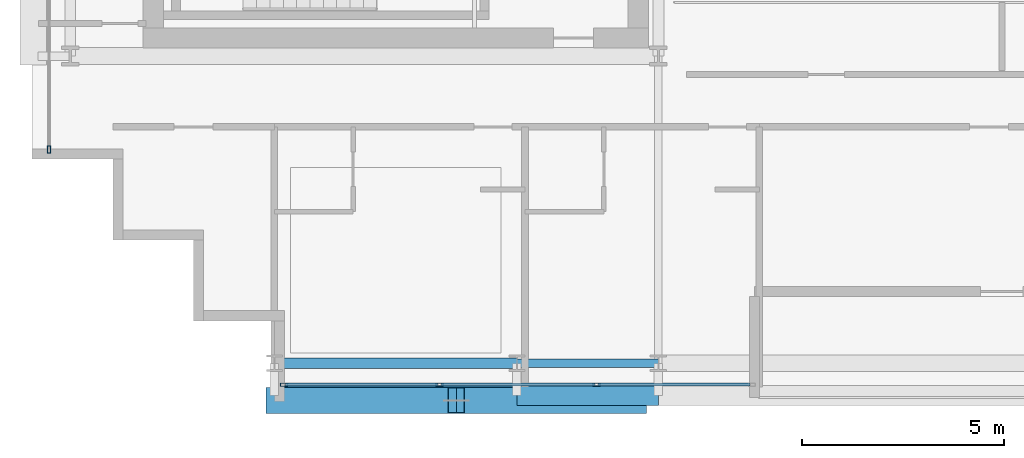
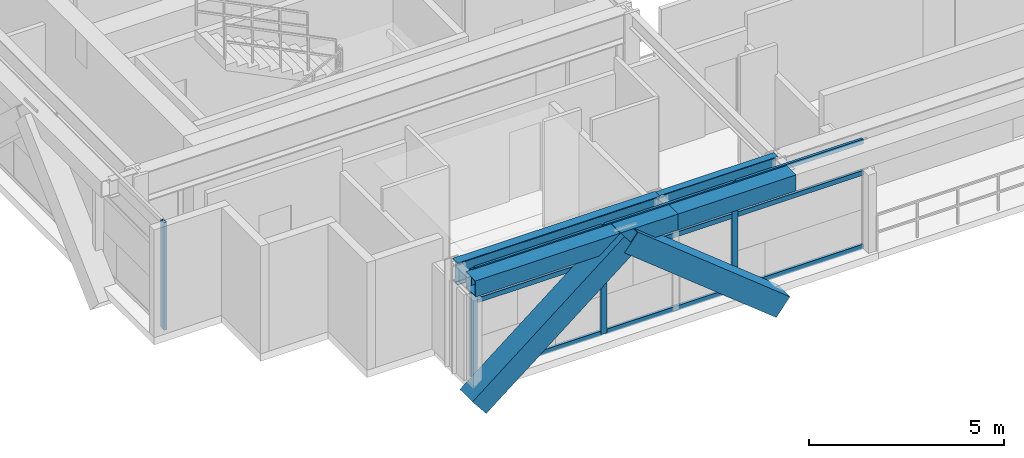
# One storey, part 2 of 31: 15 members, 4 beams, 2 elements without a shape of their own.
"""IFC4 building model written with IfcOpenShell, lengths in metres."""

from ifc_helpers import new_model, si_unit, direction, frame, origin, origin_2d, place, context, subcontext, project, spatial, hollow_rectangle, i_section, extrude, source, transform, mapped, material, layer, layer_set, material_profile, profile_set, type_object, element, aggregate, save


model = new_model("IFC4")

# Units and contexts
model_context = context("Model", 3, precision=1e-05, world=origin(), true_north=direction((0.0, 1.0)))
body_context = subcontext(model_context, "Body", "Model", "MODEL_VIEW")
ifc_project = project(units=[si_unit("LENGTHUNIT", "METRE"), si_unit("AREAUNIT", "SQUARE_METRE"), si_unit("VOLUMEUNIT", "CUBIC_METRE"), si_unit("PLANEANGLEUNIT", "RADIAN"), si_unit("MASSUNIT", "GRAM", prefix="KILO")], contexts=[model_context])

# Site, building, storey
site_placement = place(None, origin())
site = spatial("IfcSite", under=ifc_project, at=site_placement, CompositionType="ELEMENT")
building_placement = place(site_placement, origin())
building = spatial("IfcBuilding", under=site, at=building_placement, Name="Ocotamira Hotel", CompositionType="ELEMENT")
storey_placement = place(building_placement, frame((0.0, 0.0, 174.0)))
storey = spatial("IfcBuildingStorey", under=building, at=storey_placement, Name="L43", CompositionType="ELEMENT", Elevation=174.0)

# Beams
ifc_material_1 = material(Name="Steel ASTM A992 Grade 50", Category="steel")
ifc_material_profile_1 = material_profile(ifc_material_1, i_section(OverallWidth=0.256103515625, OverallDepth=0.693115234375, WebThickness=0.014404296875, FlangeThickness=0.023681640625, FilletRadius=0.01611328125, at=origin_2d()), Name="W27X114")
ifc_profile_set_1 = profile_set([ifc_material_profile_1], Name="Steel ASTM A992 Grade 50")
beam_type_1 = type_object("IfcBeamType", Name="BM-PRIM-W27X114", PredefinedType="BEAM", material=ifc_profile_set_1)
shared_shape_1 = source(origin(), body_context, "Body", "SweptSolid", [
    extrude(i_section(OverallWidth=0.256103515625, OverallDepth=0.693115234375, WebThickness=0.014404296875, FlangeThickness=0.023681640625, FilletRadius=0.01611328125, at=origin_2d()), origin(), (0.0, 0.0, 1.0), 6.0),
])
beam_1_placement = place(storey_placement, frame((14.0, 6.949951171875, 3.0234375), z_axis=(1.0, 0.0, 0.0), x_axis=(0.0, 1.0, 0.0)))
element("IfcBeam", 1, at=beam_1_placement, inside=storey, type_object=beam_type_1, Name="L43 Girder Y6.95 X14-20", PredefinedType="BEAM", context=body_context, shape_type="MappedRepresentation", body=[
    mapped(shared_shape_1, transform((0.0, 0.0, 0.0), scale=1.0)),
])
ifc_material_profile_2 = material_profile(ifc_material_1, i_section(OverallWidth=0.2099609375, OverallDepth=0.537109375, WebThickness=0.010986328125, FlangeThickness=0.017333984375, FilletRadius=0.012939453125, at=origin_2d()), Name="W21X68")
ifc_profile_set_2 = profile_set([ifc_material_profile_2], Name="Steel ASTM A992 Grade 50")
beam_type_2 = type_object("IfcBeamType", Name="BM-SEC-W21X68", PredefinedType="JOIST", material=ifc_profile_set_2)
shared_shape_2 = source(origin(), body_context, "Body", "SweptSolid", [
    extrude(i_section(OverallWidth=0.2099609375, OverallDepth=0.537109375, WebThickness=0.010986328125, FlangeThickness=0.017333984375, FilletRadius=0.012939453125, at=origin_2d()), origin(), (0.0, 0.0, 1.0), 3.5),
])
beam_2_placement = place(storey_placement, frame((20.0, 6.949951171875, 3.1015625), z_axis=(1.0, 0.0, 0.0), x_axis=(0.0, 1.0, 0.0)))
element("IfcBeam", 2, at=beam_2_placement, inside=storey, type_object=beam_type_2, Name="L43 Girder Y6.95 X20-23.5", PredefinedType="JOIST", context=body_context, shape_type="MappedRepresentation", body=[
    mapped(shared_shape_2, transform((0.0, 0.0, 0.0), scale=1.0)),
])
ifc_material_2 = material(Name="Steel ASTM A500 Grade C", Category="steel")
ifc_material_profile_3 = material_profile(ifc_material_2, hollow_rectangle(XDim=0.5, YDim=0.5, WallThickness=0.02001953125, at=origin_2d()), Name="HSS500X500X20")
ifc_profile_set_3 = profile_set([ifc_material_profile_3], Name="Steel ASTM A500 Grade C")
beam_type_3 = type_object("IfcBeamType", Name="BM-SPAN-HSS500", PredefinedType="USERDEFINED", material=ifc_profile_set_3)
shared_shape_3 = source(origin(), body_context, "Body", "SweptSolid", [
    extrude(hollow_rectangle(XDim=0.5, YDim=0.5, WallThickness=0.02001953125, at=origin_2d()), origin(), (0.0, 0.0, 1.0), 6.0),
])
beam_3_placement = place(storey_placement, frame((14.0, 6.14990234375, 3.1201171875), z_axis=(1.0, 0.0, 0.0), x_axis=(0.0, 1.0, 0.0)))
element("IfcBeam", 3, at=beam_3_placement, inside=storey, type_object=beam_type_3, Name="L43 Edge Spandrel S X14-20", ObjectType="SPANDREL", PredefinedType="USERDEFINED", context=body_context, shape_type="MappedRepresentation", body=[
    mapped(shared_shape_3, transform((0.0, 0.0, 0.0), scale=1.0)),
])
shared_shape_4 = source(origin(), body_context, "Body", "SweptSolid", [
    extrude(hollow_rectangle(XDim=0.5, YDim=0.5, WallThickness=0.02001953125, at=origin_2d()), origin(), (0.0, 0.0, 1.0), 3.5),
])
beam_4_placement = place(storey_placement, frame((20.0, 6.14990234375, 3.1201171875), z_axis=(1.0, 0.0, 0.0), x_axis=(0.0, 1.0, 0.0)))
element("IfcBeam", 4, at=beam_4_placement, inside=storey, type_object=beam_type_3, Name="L43 Edge Spandrel S X20-23.5", ObjectType="SPANDREL", PredefinedType="USERDEFINED", context=body_context, shape_type="MappedRepresentation", body=[
    mapped(shared_shape_4, transform((0.0, 0.0, 0.0), scale=1.0)),
])

# Members
ifc_material_3 = material(Name="Pale-metal coated steel ASTM A913 Grade 65", Category="steel")
ifc_material_profile_4 = material_profile(ifc_material_3, hollow_rectangle(XDim=0.64990234375, YDim=0.64990234375, WallThickness=0.02197265625, at=origin_2d()), Name="BOX650X650X22")
ifc_profile_set_4 = profile_set([ifc_material_profile_4], Name="Pale-metal coated steel ASTM A913 Grade 65")
member_type_1 = type_object("IfcMemberType", Name="MEM-EXO-BOX650", PredefinedType="BRACE", material=ifc_profile_set_4)
shared_shape_5 = source(origin(), body_context, "Body", "SweptSolid", [
    extrude(hollow_rectangle(XDim=0.64990234375, YDim=0.64990234375, WallThickness=0.02197265625, at=origin_2d()), origin(), (0.0, 0.0, 1.0), 5.762939453125),
])
for number, where, z_axis, x_axis, name in (
    (5, (14.0, 6.030029296875, -0.47998046875), (0.780860543151, 0.0, 0.624705380279), (0.0, 1.0, 0.0), "L43 Exoskeleton Diagrid S0.1"),
    (6, (23.0, 6.030029296875, -0.47998046875), (-0.780860543151, 0.0, 0.624705380279), (0.0, -1.0, 0.0), "L43 Exoskeleton Diagrid S0.2"),
):
    element("IfcMember", number, at=place(storey_placement, frame(where, z_axis=z_axis, x_axis=x_axis)), inside=storey, type_object=member_type_1, Name=name, PredefinedType="BRACE", context=body_context, shape_type="MappedRepresentation", body=[
        mapped(shared_shape_5, transform((0.0, 0.0, 0.0), scale=1.0)),
    ])

# Curtain wall, members
ifc_material_4 = material(Name="Anodised pale-metal aluminium and solar glass", Category="aluminium")
ifc_layer = layer(ifc_material_4, 0.199951171875)
ifc_layer_set = layer_set([ifc_layer], Name="Anodised pale-metal aluminium and solar glass")
curtain_wall_type = type_object("IfcCurtainWallType", Name="CW-SYS4-Z3", PredefinedType="NOTDEFINED", material=ifc_layer_set)
curtain_wall_1_placement = place(storey_placement, origin())
curtain_wall_1 = element("IfcCurtainWall", 7, at=curtain_wall_1_placement, inside=storey, type_object=curtain_wall_type, Name="L43 Curtain Wall CW-4 CW-L43-S1", PredefinedType="NOTDEFINED")
ifc_material_5 = material(Name="Anodised pale-metal aluminium 6063-T6", Category="aluminium")
ifc_material_profile_5 = material_profile(ifc_material_5, hollow_rectangle(XDim=0.080078125, YDim=0.179931640625, WallThickness=0.006103515625, at=origin_2d()), Name="HSS180X80X6")
ifc_profile_set_5 = profile_set([ifc_material_profile_5], Name="Anodised pale-metal aluminium 6063-T6")
member_type_2 = type_object("IfcMemberType", Name="CWM-180X75", PredefinedType="MULLION", material=ifc_profile_set_5)
shared_shape_6 = source(origin(), body_context, "Body", "SweptSolid", [
    extrude(hollow_rectangle(XDim=0.080078125, YDim=0.179931640625, WallThickness=0.006103515625, at=origin_2d()), origin(), (0.0, 0.0, 1.0), 3.3701171875),
])
member_1_placement = place(storey_placement, frame((14.239990234375, 6.419921875, 0.0), z_axis=(0.0, 0.0, 1.0), x_axis=(0.0, 1.0, 0.0)))
member_1 = element("IfcMember", 8, at=member_1_placement, type_object=member_type_2, Name="CW-4 mullion 1", PredefinedType="MULLION", context=body_context, shape_type="MappedRepresentation", body=[
    mapped(shared_shape_6, transform((0.0, 0.0, 0.0), scale=1.0)),
])
member_2_placement = place(storey_placement, frame((18.083251953125, 6.419921875, 0.0), z_axis=(0.0, 0.0, 1.0), x_axis=(0.0, 1.0, 0.0)))
member_2 = element("IfcMember", 9, at=member_2_placement, type_object=member_type_2, Name="CW-4 mullion 2", PredefinedType="MULLION", context=body_context, shape_type="MappedRepresentation", body=[
    mapped(shared_shape_6, transform((0.0, 0.0, 0.0), scale=1.0)),
])
member_3_placement = place(storey_placement, frame((21.966552734375, 6.419921875, 0.0), z_axis=(0.0, 0.0, 1.0), x_axis=(0.0, 1.0, 0.0)))
member_3 = element("IfcMember", 10, at=member_3_placement, type_object=member_type_2, Name="CW-4 mullion 3", PredefinedType="MULLION", context=body_context, shape_type="MappedRepresentation", body=[
    mapped(shared_shape_6, transform((0.0, 0.0, 0.0), scale=1.0)),
])

# Curtain wall, member
curtain_wall_2_placement = place(storey_placement, origin())
curtain_wall_2 = element("IfcCurtainWall", 11, at=curtain_wall_2_placement, inside=storey, type_object=curtain_wall_type, Name="L43 Curtain Wall CW-4 CW-L43-W", PredefinedType="NOTDEFINED")
member_4_placement = place(storey_placement, frame((8.419921875, 12.239990234375, 0.0), z_axis=(0.0, 0.0, 1.0), x_axis=(-1.0, 0.0, 0.0)))
member_4 = element("IfcMember", 12, at=member_4_placement, type_object=member_type_2, Name="CW-4 mullion 1", PredefinedType="MULLION", context=body_context, shape_type="MappedRepresentation", body=[
    mapped(shared_shape_6, transform((0.0, 0.0, 0.0), scale=1.0)),
])
aggregate(curtain_wall_2, [member_4])

# Member
ifc_material_profile_6 = material_profile(ifc_material_5, hollow_rectangle(XDim=0.074951171875, YDim=0.14990234375, WallThickness=0.006103515625, at=origin_2d()), Name="HSS150X75X6")
ifc_profile_set_6 = profile_set([ifc_material_profile_6], Name="Anodised pale-metal aluminium 6063-T6")
member_type_3 = type_object("IfcMemberType", Name="CWT-150X75", PredefinedType="USERDEFINED", material=ifc_profile_set_6)
shared_shape_7 = source(origin(), body_context, "Body", "SweptSolid", [
    extrude(hollow_rectangle(XDim=0.074951171875, YDim=0.14990234375, WallThickness=0.006103515625, at=origin_2d()), origin(), (0.0, 0.0, 1.0), 3.76318359375),
])
member_5_placement = place(storey_placement, frame((14.280029296875, 6.419921875, 0.03759765625), z_axis=(1.0, 0.0, 0.0), x_axis=(0.0, 1.0, 0.0)))
member_5 = element("IfcMember", 13, at=member_5_placement, type_object=member_type_3, Name="CW-4 transom 1.1", ObjectType="TRANSOM", PredefinedType="USERDEFINED", context=body_context, shape_type="MappedRepresentation", body=[
    mapped(shared_shape_7, transform((0.0, 0.0, 0.0), scale=1.0)),
])

member_6_placement = place(storey_placement, frame((14.280029296875, 6.419921875, 2.35009765625), z_axis=(1.0, 0.0, 0.0), x_axis=(0.0, 1.0, 0.0)))
member_6 = element("IfcMember", 14, at=member_6_placement, type_object=member_type_3, Name="CW-4 transom 1.2", ObjectType="TRANSOM", PredefinedType="USERDEFINED", context=body_context, shape_type="MappedRepresentation", body=[
    mapped(shared_shape_7, transform((0.0, 0.0, 0.0), scale=1.0)),
])

member_7_placement = place(storey_placement, frame((14.280029296875, 6.419921875, 3.33251953125), z_axis=(1.0, 0.0, 0.0), x_axis=(0.0, 1.0, 0.0)))
member_7 = element("IfcMember", 15, at=member_7_placement, type_object=member_type_3, Name="CW-4 transom 1.3", ObjectType="TRANSOM", PredefinedType="USERDEFINED", context=body_context, shape_type="MappedRepresentation", body=[
    mapped(shared_shape_7, transform((0.0, 0.0, 0.0), scale=1.0)),
])

shared_shape_8 = source(origin(), body_context, "Body", "SweptSolid", [
    extrude(hollow_rectangle(XDim=0.074951171875, YDim=0.14990234375, WallThickness=0.006103515625, at=origin_2d()), origin(), (0.0, 0.0, 1.0), 3.803466796875),
])
member_8_placement = place(storey_placement, frame((18.123291015625, 6.419921875, 0.03759765625), z_axis=(1.0, 0.0, 0.0), x_axis=(0.0, 1.0, 0.0)))
member_8 = element("IfcMember", 16, at=member_8_placement, type_object=member_type_3, Name="CW-4 transom 2.1", ObjectType="TRANSOM", PredefinedType="USERDEFINED", context=body_context, shape_type="MappedRepresentation", body=[
    mapped(shared_shape_8, transform((0.0, 0.0, 0.0), scale=1.0)),
])

member_9_placement = place(storey_placement, frame((18.123291015625, 6.419921875, 2.35009765625), z_axis=(1.0, 0.0, 0.0), x_axis=(0.0, 1.0, 0.0)))
member_9 = element("IfcMember", 17, at=member_9_placement, type_object=member_type_3, Name="CW-4 transom 2.2", ObjectType="TRANSOM", PredefinedType="USERDEFINED", context=body_context, shape_type="MappedRepresentation", body=[
    mapped(shared_shape_8, transform((0.0, 0.0, 0.0), scale=1.0)),
])

member_10_placement = place(storey_placement, frame((18.123291015625, 6.419921875, 3.33251953125), z_axis=(1.0, 0.0, 0.0), x_axis=(0.0, 1.0, 0.0)))
member_10 = element("IfcMember", 18, at=member_10_placement, type_object=member_type_3, Name="CW-4 transom 2.3", ObjectType="TRANSOM", PredefinedType="USERDEFINED", context=body_context, shape_type="MappedRepresentation", body=[
    mapped(shared_shape_8, transform((0.0, 0.0, 0.0), scale=1.0)),
])

shared_shape_9 = source(origin(), body_context, "Body", "SweptSolid", [
    extrude(hollow_rectangle(XDim=0.074951171875, YDim=0.14990234375, WallThickness=0.006103515625, at=origin_2d()), origin(), (0.0, 0.0, 1.0), 3.763427734375),
])
member_11_placement = place(storey_placement, frame((22.006591796875, 6.419921875, 0.03759765625), z_axis=(1.0, 0.0, 0.0), x_axis=(0.0, 1.0, 0.0)))
member_11 = element("IfcMember", 19, at=member_11_placement, type_object=member_type_3, Name="CW-4 transom 3.1", ObjectType="TRANSOM", PredefinedType="USERDEFINED", context=body_context, shape_type="MappedRepresentation", body=[
    mapped(shared_shape_9, transform((0.0, 0.0, 0.0), scale=1.0)),
])

member_12_placement = place(storey_placement, frame((22.006591796875, 6.419921875, 2.35009765625), z_axis=(1.0, 0.0, 0.0), x_axis=(0.0, 1.0, 0.0)))
member_12 = element("IfcMember", 20, at=member_12_placement, type_object=member_type_3, Name="CW-4 transom 3.2", ObjectType="TRANSOM", PredefinedType="USERDEFINED", context=body_context, shape_type="MappedRepresentation", body=[
    mapped(shared_shape_9, transform((0.0, 0.0, 0.0), scale=1.0)),
])

member_13_placement = place(storey_placement, frame((22.006591796875, 6.419921875, 3.33251953125), z_axis=(1.0, 0.0, 0.0), x_axis=(0.0, 1.0, 0.0)))
member_13 = element("IfcMember", 21, at=member_13_placement, type_object=member_type_3, Name="CW-4 transom 3.3", ObjectType="TRANSOM", PredefinedType="USERDEFINED", context=body_context, shape_type="MappedRepresentation", body=[
    mapped(shared_shape_9, transform((0.0, 0.0, 0.0), scale=1.0)),
])

aggregate(curtain_wall_1, [member_1, member_2, member_3, member_5, member_6, member_7, member_8, member_9, member_10, member_11, member_12, member_13])

save(model, "model.ifc")
